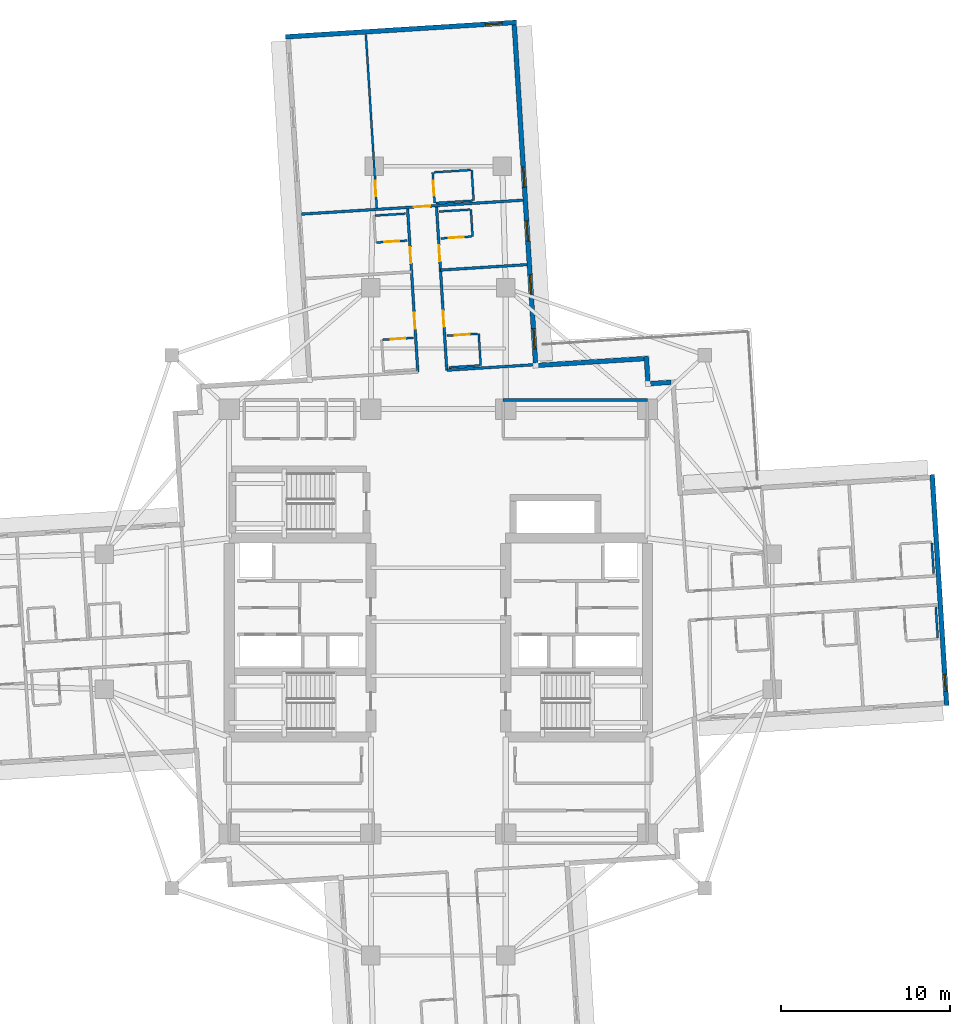
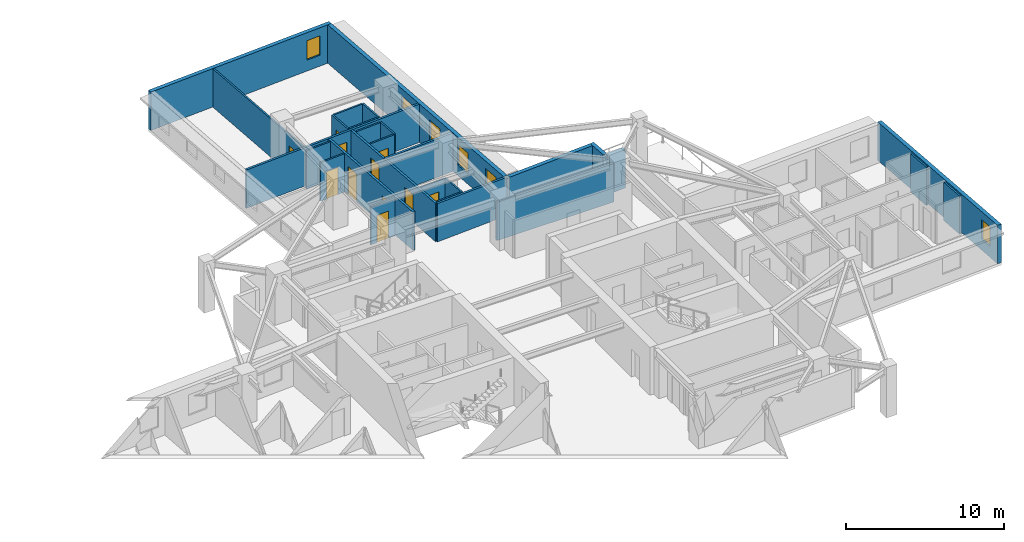
# One storey, part 8 of 14: 28 walls, 11 doors, 6 windows, 17 openings.
"""IFC4 building model written with IfcOpenShell, lengths in metres."""

from ifc_helpers import new_model, si_unit, direction, frame, frame_2d, origin, place, context, subcontext, project, spatial, rectangle, extrude, material, layer, layer_set, type_object, element, fill, save


model = new_model("IFC4")

# Units and contexts
model_context = context("Model", 3, precision=1e-05, world=origin(), true_north=direction((0.0, 1.0)))
body_context = subcontext(model_context, "Body", "Model", "MODEL_VIEW")
ifc_project = project(units=[si_unit("LENGTHUNIT", "METRE"), si_unit("AREAUNIT", "SQUARE_METRE"), si_unit("VOLUMEUNIT", "CUBIC_METRE"), si_unit("PLANEANGLEUNIT", "RADIAN"), si_unit("MASSUNIT", "GRAM", prefix="KILO")], contexts=[model_context])

# Site, building, storey
site_placement = place(None, origin())
site = spatial("IfcSite", under=ifc_project, at=site_placement, CompositionType="ELEMENT")
building_placement = place(site_placement, origin())
building = spatial("IfcBuilding", under=site, at=building_placement, Name="Qingluan Cross Belvedere", CompositionType="ELEMENT")
storey_placement = place(building_placement, frame((0.0, 0.0, 128.10009765625)))
storey = spatial("IfcBuildingStorey", under=building, at=storey_placement, Name="L32", CompositionType="ELEMENT", Elevation=128.10009765625)

# Wall
ifc_material_1 = material(Name="Gypsum plasterboard on steel stud acoustic partition", Category="steel")
ifc_layer_1 = layer(ifc_material_1, 0.159912109375, Name="CorridorPartition_160")
ifc_layer_set_1 = layer_set([ifc_layer_1], Name="Gypsum plasterboard on steel stud acoustic partition")
wall_type_1 = type_object("IfcWallType", Name="CorridorPartition_160", PredefinedType="PARTITIONING", material=ifc_layer_set_1)
wall_1_placement = place(storey_placement, frame((3.85009765625, 13.14990234375, 0.0), z_axis=(0.0, 0.0, 1.0), x_axis=(1.0, 0.0, 0.0)))
element("IfcWall", 1, at=wall_1_placement, inside=storey, type_object=wall_type_1, Name="Partition L32:q_ne:N", PredefinedType="PARTITIONING", context=body_context, shape_type="SweptSolid", body=[
    extrude(rectangle(XDim=8.5498046875, YDim=0.159912109375, at=frame_2d((4.27490234375, 0.0))), origin(), (0.0, 0.0, 1.0), 2.9599609375),
])

# Wall, openings, doors
wall_2_placement = place(storey_placement, frame((0.504638671875, 14.9111328125, 0.0), z_axis=(0.0, 0.0, 1.0), x_axis=(-0.062771584278, 0.998027919553, 0.0)))
wall_2 = element("IfcWall", 2, at=wall_2_placement, inside=storey, type_object=wall_type_1, Name="Partition L32:N:c0", PredefinedType="PARTITIONING", context=body_context, shape_type="SweptSolid", body=[
    extrude(rectangle(XDim=9.699951171875, YDim=0.159912109375, at=frame_2d((4.85009765625, 0.0))), origin(), (0.0, 0.0, 1.0), 2.9599609375),
])
opening_1_placement = place(wall_2_placement, frame((2.574951171875, 0.0, 0.0)))
opening_1 = element("IfcOpeningElement", 3, at=opening_1_placement, cuts=wall_2, Name="Opening GD-10", PredefinedType="OPENING", context=body_context, shape_type="SweptSolid", body=[
    extrude(rectangle(XDim=0.9599609375, YDim=2.14990234375, at=frame_2d((0.47998046875, 1.074951171875))), frame((0.0, 0.08984375, 0.0), z_axis=(0.0, -1.0, 0.0), x_axis=(1.0, 0.0, 0.0)), (0.0, 0.0, 1.0), 0.179931640625),
])
opening_2_placement = place(wall_2_placement, frame((6.467041015625, 0.0, 0.0)))
opening_2 = element("IfcOpeningElement", 4, at=opening_2_placement, cuts=wall_2, Name="Opening GD-10", PredefinedType="OPENING", context=body_context, shape_type="SweptSolid", body=[
    extrude(rectangle(XDim=0.9599609375, YDim=2.14990234375, at=frame_2d((0.47998046875, 1.074951171875))), frame((0.0, 0.08984375, 0.0), z_axis=(0.0, -1.0, 0.0), x_axis=(1.0, 0.0, 0.0)), (0.0, 0.0, 1.0), 0.179931640625),
])
ifc_material_2 = material(Name="Timber oak fire-rated acoustic guestroom door", Category="wood")
door_type_1 = type_object("IfcDoorType", Name="GuestEntryDoor_FD60", OperationType="NOTDEFINED", PredefinedType="DOOR", material=ifc_material_2)
door_1_placement = place(opening_1_placement, origin())
door_1 = element("IfcDoor", 5, at=door_1_placement, inside=storey, type_object=door_type_1, Name="Guest entry fire door 3211", OperationType="SINGLE_SWING_RIGHT", OverallHeight=2.14990234375, OverallWidth=0.9599609375, PredefinedType="DOOR", context=body_context, shape_type="SweptSolid", body=[
    extrude(rectangle(XDim=0.9599609375, YDim=2.14990234375, at=frame_2d((0.47998046875, 1.074951171875))), frame((0.0, 0.02490234375, 0.0), z_axis=(0.0, -1.0, 0.0), x_axis=(1.0, 0.0, 0.0)), (0.0, 0.0, 1.0), 0.050048828125),
])
fill(opening_1, door_1)
door_2_placement = place(opening_2_placement, origin())
door_2 = element("IfcDoor", 6, at=door_2_placement, inside=storey, type_object=door_type_1, Name="Guest entry fire door 3212", OperationType="SINGLE_SWING_RIGHT", OverallHeight=2.14990234375, OverallWidth=0.9599609375, PredefinedType="DOOR", context=body_context, shape_type="SweptSolid", body=[
    extrude(rectangle(XDim=0.9599609375, YDim=2.14990234375, at=frame_2d((0.47998046875, 1.074951171875))), frame((0.0, 0.02490234375, 0.0), z_axis=(0.0, -1.0, 0.0), x_axis=(1.0, 0.0, 0.0)), (0.0, 0.0, 1.0), 0.050048828125),
])
fill(opening_2, door_2)

# Walls
wall_3_placement = place(storey_placement, frame((0.504638671875, 14.9111328125, 0.0), z_axis=(0.0, 0.0, 1.0), x_axis=(0.998026766364, 0.06278991655, 0.0)))
element("IfcWall", 7, at=wall_3_placement, inside=storey, type_object=wall_type_1, Name="Partition L32:N:s0", PredefinedType="PARTITIONING", context=body_context, shape_type="SweptSolid", body=[
    extrude(rectangle(XDim=5.2802734375, YDim=0.159912109375, at=frame_2d((2.64013671875, 0.0))), origin(), (0.0, 0.0, 1.0), 2.9599609375),
])
wall_4_placement = place(storey_placement, frame((0.131103515625, 20.849365234375, 0.0), z_axis=(0.0, 0.0, 1.0), x_axis=(0.998026390953, 0.062795883315, 0.0)))
element("IfcWall", 8, at=wall_4_placement, inside=storey, type_object=wall_type_1, Name="Partition L32:N:d0_0", PredefinedType="PARTITIONING", context=body_context, shape_type="SweptSolid", body=[
    extrude(rectangle(XDim=5.1318359375, YDim=0.159912109375, at=frame_2d((2.56591796875, 0.0))), origin(), (0.0, 0.0, 1.0), 2.9599609375),
])

# Wall, openings, doors
wall_5_placement = place(storey_placement, frame((-1.2119140625, 14.802978515625, 0.0), z_axis=(0.0, 0.0, 1.0), x_axis=(-0.062796654085, 0.998026342456, 0.0)))
wall_5 = element("IfcWall", 9, at=wall_5_placement, inside=storey, type_object=wall_type_1, Name="Partition L32:N:c1", PredefinedType="PARTITIONING", context=body_context, shape_type="SweptSolid", body=[
    extrude(rectangle(XDim=9.699951171875, YDim=0.159912109375, at=frame_2d((4.85009765625, 0.0))), origin(), (0.0, 0.0, 1.0), 2.9599609375),
])
opening_3_placement = place(wall_5_placement, frame((2.574951171875, 0.0, 0.0)))
opening_3 = element("IfcOpeningElement", 10, at=opening_3_placement, cuts=wall_5, Name="Opening GD-10", PredefinedType="OPENING", context=body_context, shape_type="SweptSolid", body=[
    extrude(rectangle(XDim=0.9599609375, YDim=2.14990234375, at=frame_2d((0.47998046875, 1.074951171875))), frame((0.0, 0.08984375, 0.0), z_axis=(0.0, -1.0, 0.0), x_axis=(1.0, 0.0, 0.0)), (0.0, 0.0, 1.0), 0.179931640625),
])
opening_4_placement = place(wall_5_placement, frame((6.467041015625, 0.0, 0.0)))
opening_4 = element("IfcOpeningElement", 11, at=opening_4_placement, cuts=wall_5, Name="Opening GD-10", PredefinedType="OPENING", context=body_context, shape_type="SweptSolid", body=[
    extrude(rectangle(XDim=0.9599609375, YDim=2.14990234375, at=frame_2d((0.47998046875, 1.074951171875))), frame((0.0, 0.08984375, 0.0), z_axis=(0.0, -1.0, 0.0), x_axis=(1.0, 0.0, 0.0)), (0.0, 0.0, 1.0), 0.179931640625),
])
door_3_placement = place(opening_3_placement, origin())
door_3 = element("IfcDoor", 12, at=door_3_placement, inside=storey, type_object=door_type_1, Name="Guest entry fire door 3213", OperationType="SINGLE_SWING_RIGHT", OverallHeight=2.14990234375, OverallWidth=0.9599609375, PredefinedType="DOOR", context=body_context, shape_type="SweptSolid", body=[
    extrude(rectangle(XDim=0.9599609375, YDim=2.14990234375, at=frame_2d((0.47998046875, 1.074951171875))), frame((0.0, 0.02490234375, 0.0), z_axis=(0.0, -1.0, 0.0), x_axis=(1.0, 0.0, 0.0)), (0.0, 0.0, 1.0), 0.050048828125),
])
fill(opening_3, door_3)
door_4_placement = place(opening_4_placement, origin())
door_4 = element("IfcDoor", 13, at=door_4_placement, inside=storey, type_object=door_type_1, Name="Guest entry fire door 3214", OperationType="SINGLE_SWING_RIGHT", OverallHeight=2.14990234375, OverallWidth=0.9599609375, PredefinedType="DOOR", context=body_context, shape_type="SweptSolid", body=[
    extrude(rectangle(XDim=0.9599609375, YDim=2.14990234375, at=frame_2d((0.47998046875, 1.074951171875))), frame((0.0, 0.02490234375, 0.0), z_axis=(0.0, -1.0, 0.0), x_axis=(1.0, 0.0, 0.0)), (0.0, 0.0, 1.0), 0.050048828125),
])
fill(opening_4, door_4)

# Wall, opening, door
wall_6_placement = place(storey_placement, frame((-8.10546875, 24.168701171875, 0.0), z_axis=(0.0, 0.0, 1.0), x_axis=(0.998026109115, 0.062800362452, 0.0)))
wall_6 = element("IfcWall", 14, at=wall_6_placement, inside=storey, type_object=wall_type_1, Name="Partition L32:Ncap:in", PredefinedType="PARTITIONING", context=body_context, shape_type="SweptSolid", body=[
    extrude(rectangle(XDim=13.143798828125, YDim=0.159912109375, at=frame_2d((6.57177734375, 0.0))), origin(), (0.0, 0.0, 1.0), 2.9599609375),
])
opening_5_placement = place(wall_6_placement, frame((6.672119140625, 0.0, 0.0)))
opening_5 = element("IfcOpeningElement", 15, at=opening_5_placement, cuts=wall_6, Name="Opening GD-10", PredefinedType="OPENING", context=body_context, shape_type="SweptSolid", body=[
    extrude(rectangle(XDim=0.9599609375, YDim=2.14990234375, at=frame_2d((0.47998046875, 1.074951171875))), frame((0.0, 0.08984375, 0.0), z_axis=(0.0, -1.0, 0.0), x_axis=(1.0, 0.0, 0.0)), (0.0, 0.0, 1.0), 0.179931640625),
])
door_5_placement = place(opening_5_placement, origin())
door_5 = element("IfcDoor", 16, at=door_5_placement, inside=storey, type_object=door_type_1, Name="Horizon corner suite door L32N", OperationType="SINGLE_SWING_LEFT", OverallHeight=2.14990234375, OverallWidth=0.9599609375, PredefinedType="DOOR", context=body_context, shape_type="SweptSolid", body=[
    extrude(rectangle(XDim=0.9599609375, YDim=2.14990234375, at=frame_2d((0.47998046875, 1.074951171875))), frame((0.0, 0.02490234375, 0.0), z_axis=(0.0, -1.0, 0.0), x_axis=(1.0, 0.0, 0.0)), (0.0, 0.0, 1.0), 0.050048828125),
])
fill(opening_5, door_5)

# Walls
ifc_material_3 = material(Name="Moisture-resistant gypsum board lining")
ifc_layer_2 = layer(ifc_material_3, 0.1201171875, Name="EnsuiteWetPartition_120")
ifc_layer_set_2 = layer_set([ifc_layer_2], Name="Moisture-resistant gypsum board lining")
wall_type_2 = type_object("IfcWallType", Name="EnsuiteWetPartition_120", PredefinedType="PARTITIONING", material=ifc_layer_set_2)
for number, where, z_axis, x_axis, name in (
    (17, (29.37890625, 2.850341796875, 0.0), (0.0, 0.0, 1.0), (-0.062779145668, 0.998027443946, 0.0), "Partition L32:E:bw0_2"),
    (18, (29.618896484375, -0.962158203125, 0.0), (0.0, 0.0, 1.0), (-0.062779145668, 0.998027443946, 0.0), "Partition L32:E:bw1_2"),
):
    element("IfcWall", number, at=place(storey_placement, frame(where, z_axis=z_axis, x_axis=x_axis)), inside=storey, type_object=wall_type_2, Name=name, PredefinedType="PARTITIONING", context=body_context, shape_type="SweptSolid", body=[
        extrude(rectangle(XDim=1.820068359375, YDim=0.1201171875, at=frame_2d((0.91015625, 0.0))), origin(), (0.0, 0.0, 1.0), 2.9599609375),
    ])

# Wall, opening, door
wall_7_placement = place(storey_placement, frame((0.516357421875, 16.955810546875, 0.0), z_axis=(0.0, 0.0, 1.0), x_axis=(0.998019030272, 0.062912758763, 0.0)))
wall_7 = element("IfcWall", 19, at=wall_7_placement, inside=storey, type_object=wall_type_2, Name="Partition L32:N:bs0_0", PredefinedType="PARTITIONING", context=body_context, shape_type="SweptSolid", body=[
    extrude(rectangle(XDim=1.820068359375, YDim=0.1201171875, at=frame_2d((0.91015625, 0.0))), origin(), (0.0, 0.0, 1.0), 2.9599609375),
])
opening_6_placement = place(wall_7_placement, frame((0.469970703125, 0.0, 0.0)))
opening_6 = element("IfcOpeningElement", 20, at=opening_6_placement, cuts=wall_7, Name="Opening BD-09", PredefinedType="OPENING", context=body_context, shape_type="SweptSolid", body=[
    extrude(rectangle(XDim=0.8798828125, YDim=2.10009765625, at=frame_2d((0.43994140625, 1.050048828125))), frame((0.0, 0.070068359375, 0.0), z_axis=(0.0, -1.0, 0.0), x_axis=(1.0, 0.0, 0.0)), (0.0, 0.0, 1.0), 0.14013671875),
])
ifc_material_4 = material(Name="Moisture-sealed timber en-suite door", Category="wood")
door_type_2 = type_object("IfcDoorType", Name="BathroomDoor_880", OperationType="NOTDEFINED", PredefinedType="DOOR", material=ifc_material_4)
door_6_placement = place(opening_6_placement, origin())
door_6 = element("IfcDoor", 21, at=door_6_placement, inside=storey, type_object=door_type_2, Name="Bathroom door 3211", OperationType="SINGLE_SWING_LEFT", OverallHeight=2.10009765625, OverallWidth=0.8798828125, PredefinedType="DOOR", context=body_context, shape_type="SweptSolid", body=[
    extrude(rectangle(XDim=0.8798828125, YDim=2.10009765625, at=frame_2d((0.43994140625, 1.050048828125))), frame((0.0, 0.02490234375, 0.0), z_axis=(0.0, -1.0, 0.0), x_axis=(1.0, 0.0, 0.0)), (0.0, 0.0, 1.0), 0.050048828125),
])
fill(opening_6, door_6)

# Walls
wall_8_placement = place(storey_placement, frame((0.634521484375, 15.07958984375, 0.0), z_axis=(0.0, 0.0, 1.0), x_axis=(0.998026915151, 0.062787551592, 0.0)))
element("IfcWall", 22, at=wall_8_placement, inside=storey, type_object=wall_type_2, Name="Partition L32:N:bw0_0", PredefinedType="PARTITIONING", context=body_context, shape_type="SweptSolid", body=[
    extrude(rectangle(XDim=1.81982421875, YDim=0.1201171875, at=frame_2d((0.909912109375, 0.0))), origin(), (0.0, 0.0, 1.0), 2.9599609375),
])
wall_9_placement = place(storey_placement, frame((2.515625, 15.197998046875, 0.0), z_axis=(0.0, 0.0, 1.0), x_axis=(-0.062725942896, 0.998030789148, 0.0)))
element("IfcWall", 23, at=wall_9_placement, inside=storey, type_object=wall_type_2, Name="Partition L32:N:bn0_0", PredefinedType="PARTITIONING", context=body_context, shape_type="SweptSolid", body=[
    extrude(rectangle(XDim=1.8798828125, YDim=0.1201171875, at=frame_2d((0.93994140625, 0.0))), origin(), (0.0, 0.0, 1.0), 2.9599609375),
])

# Wall, opening, door
wall_10_placement = place(storey_placement, frame((0.1533203125, 22.724609375, 0.0), z_axis=(0.0, 0.0, 1.0), x_axis=(0.998027443946, 0.062779145668, 0.0)))
wall_10 = element("IfcWall", 24, at=wall_10_placement, inside=storey, type_object=wall_type_2, Name="Partition L32:N:bs0_1", PredefinedType="PARTITIONING", context=body_context, shape_type="SweptSolid", body=[
    extrude(rectangle(XDim=1.820068359375, YDim=0.1201171875, at=frame_2d((0.91015625, 0.0))), origin(), (0.0, 0.0, 1.0), 2.9599609375),
])
opening_7_placement = place(wall_10_placement, frame((0.469970703125, 0.0, 0.0)))
opening_7 = element("IfcOpeningElement", 25, at=opening_7_placement, cuts=wall_10, Name="Opening BD-09", PredefinedType="OPENING", context=body_context, shape_type="SweptSolid", body=[
    extrude(rectangle(XDim=0.8798828125, YDim=2.10009765625, at=frame_2d((0.43994140625, 1.050048828125))), frame((0.0, 0.070068359375, 0.0), z_axis=(0.0, -1.0, 0.0), x_axis=(1.0, 0.0, 0.0)), (0.0, 0.0, 1.0), 0.14013671875),
])
door_7_placement = place(opening_7_placement, origin())
door_7 = element("IfcDoor", 26, at=door_7_placement, inside=storey, type_object=door_type_2, Name="Bathroom door 3212", OperationType="SINGLE_SWING_LEFT", OverallHeight=2.10009765625, OverallWidth=0.8798828125, PredefinedType="DOOR", context=body_context, shape_type="SweptSolid", body=[
    extrude(rectangle(XDim=0.8798828125, YDim=2.10009765625, at=frame_2d((0.43994140625, 1.050048828125))), frame((0.0, 0.02490234375, 0.0), z_axis=(0.0, -1.0, 0.0), x_axis=(1.0, 0.0, 0.0)), (0.0, 0.0, 1.0), 0.050048828125),
])
fill(opening_7, door_7)

# Walls
wall_11_placement = place(storey_placement, frame((0.052978515625, 24.3212890625, 0.0), z_axis=(0.0, 0.0, 1.0), x_axis=(0.998027443946, 0.062779145668, 0.0)))
element("IfcWall", 27, at=wall_11_placement, inside=storey, type_object=wall_type_2, Name="Partition L32:N:bw0_1", PredefinedType="PARTITIONING", context=body_context, shape_type="SweptSolid", body=[
    extrude(rectangle(XDim=1.820068359375, YDim=0.1201171875, at=frame_2d((0.91015625, 0.0))), origin(), (0.0, 0.0, 1.0), 2.9599609375),
])
wall_12_placement = place(storey_placement, frame((2.03466796875, 22.8427734375, 0.0), z_axis=(0.0, 0.0, 1.0), x_axis=(-0.062862733403, 0.998022182494, 0.0)))
element("IfcWall", 28, at=wall_12_placement, inside=storey, type_object=wall_type_2, Name="Partition L32:N:bn0_1", PredefinedType="PARTITIONING", context=body_context, shape_type="SweptSolid", body=[
    extrude(rectangle(XDim=1.60009765625, YDim=0.1201171875, at=frame_2d((0.800048828125, 0.0))), origin(), (0.0, 0.0, 1.0), 2.9599609375),
])

# Wall, opening, door
wall_13_placement = place(storey_placement, frame((-3.296142578125, 16.716064453125, 0.0), z_axis=(0.0, 0.0, 1.0), x_axis=(0.998027443946, 0.062779145668, 0.0)))
wall_13 = element("IfcWall", 29, at=wall_13_placement, inside=storey, type_object=wall_type_2, Name="Partition L32:N:bs1_0", PredefinedType="PARTITIONING", context=body_context, shape_type="SweptSolid", body=[
    extrude(rectangle(XDim=1.820068359375, YDim=0.1201171875, at=frame_2d((0.91015625, 0.0))), origin(), (0.0, 0.0, 1.0), 2.9599609375),
])
opening_8_placement = place(wall_13_placement, frame((0.469970703125, 0.0, 0.0)))
opening_8 = element("IfcOpeningElement", 30, at=opening_8_placement, cuts=wall_13, Name="Opening BD-09", PredefinedType="OPENING", context=body_context, shape_type="SweptSolid", body=[
    extrude(rectangle(XDim=0.8798828125, YDim=2.10009765625, at=frame_2d((0.43994140625, 1.050048828125))), frame((0.0, 0.070068359375, 0.0), z_axis=(0.0, -1.0, 0.0), x_axis=(1.0, 0.0, 0.0)), (0.0, 0.0, 1.0), 0.14013671875),
])
door_8_placement = place(opening_8_placement, origin())
door_8 = element("IfcDoor", 31, at=door_8_placement, inside=storey, type_object=door_type_2, Name="Bathroom door 3213", OperationType="SINGLE_SWING_LEFT", OverallHeight=2.10009765625, OverallWidth=0.8798828125, PredefinedType="DOOR", context=body_context, shape_type="SweptSolid", body=[
    extrude(rectangle(XDim=0.8798828125, YDim=2.10009765625, at=frame_2d((0.43994140625, 1.050048828125))), frame((0.0, 0.02490234375, 0.0), z_axis=(0.0, -1.0, 0.0), x_axis=(1.0, 0.0, 0.0)), (0.0, 0.0, 1.0), 0.050048828125),
])
fill(opening_8, door_8)

wall_14_placement = place(storey_placement, frame((-3.658935546875, 22.484619140625, 0.0), z_axis=(0.0, 0.0, 1.0), x_axis=(0.998027443946, 0.062779145668, 0.0)))
wall_14 = element("IfcWall", 32, at=wall_14_placement, inside=storey, type_object=wall_type_2, Name="Partition L32:N:bs1_1", PredefinedType="PARTITIONING", context=body_context, shape_type="SweptSolid", body=[
    extrude(rectangle(XDim=1.820068359375, YDim=0.1201171875, at=frame_2d((0.91015625, 0.0))), origin(), (0.0, 0.0, 1.0), 2.9599609375),
])
opening_9_placement = place(wall_14_placement, frame((0.469970703125, 0.0, 0.0)))
opening_9 = element("IfcOpeningElement", 33, at=opening_9_placement, cuts=wall_14, Name="Opening BD-09", PredefinedType="OPENING", context=body_context, shape_type="SweptSolid", body=[
    extrude(rectangle(XDim=0.8798828125, YDim=2.10009765625, at=frame_2d((0.43994140625, 1.050048828125))), frame((0.0, 0.070068359375, 0.0), z_axis=(0.0, -1.0, 0.0), x_axis=(1.0, 0.0, 0.0)), (0.0, 0.0, 1.0), 0.14013671875),
])
door_9_placement = place(opening_9_placement, origin())
door_9 = element("IfcDoor", 34, at=door_9_placement, inside=storey, type_object=door_type_2, Name="Bathroom door 3214", OperationType="SINGLE_SWING_LEFT", OverallHeight=2.10009765625, OverallWidth=0.8798828125, PredefinedType="DOOR", context=body_context, shape_type="SweptSolid", body=[
    extrude(rectangle(XDim=0.8798828125, YDim=2.10009765625, at=frame_2d((0.43994140625, 1.050048828125))), frame((0.0, 0.02490234375, 0.0), z_axis=(0.0, -1.0, 0.0), x_axis=(1.0, 0.0, 0.0)), (0.0, 0.0, 1.0), 0.050048828125),
])
fill(opening_9, door_9)

# Wall
wall_15_placement = place(storey_placement, frame((-3.759521484375, 24.08154296875, 0.0), z_axis=(0.0, 0.0, 1.0), x_axis=(0.998027443946, 0.062779145668, 0.0)))
element("IfcWall", 35, at=wall_15_placement, inside=storey, type_object=wall_type_2, Name="Partition L32:N:bw1_1", PredefinedType="PARTITIONING", context=body_context, shape_type="SweptSolid", body=[
    extrude(rectangle(XDim=1.820068359375, YDim=0.1201171875, at=frame_2d((0.91015625, 0.0))), origin(), (0.0, 0.0, 1.0), 2.9599609375),
])

# Wall, opening, door
wall_16_placement = place(storey_placement, frame((-3.64794921875, 24.539306640625, 0.0), z_axis=(0.0, 0.0, 1.0), x_axis=(-0.062786562543, 0.998026977373, 0.0)))
wall_16 = element("IfcWall", 36, at=wall_16_placement, inside=storey, type_object=wall_type_2, Name="Partition L32:Ncap:m2", PredefinedType="PARTITIONING", context=body_context, shape_type="SweptSolid", body=[
    extrude(rectangle(XDim=10.31201171875, YDim=0.1201171875, at=frame_2d((5.156005859375, 0.0))), origin(), (0.0, 0.0, 1.0), 2.9599609375),
])
opening_10_placement = place(wall_16_placement, frame((0.699951171875, 0.0, 0.0)))
opening_10 = element("IfcOpeningElement", 37, at=opening_10_placement, cuts=wall_16, Name="Opening BD-89", PredefinedType="OPENING", context=body_context, shape_type="SweptSolid", body=[
    extrude(rectangle(XDim=0.89990234375, YDim=2.10009765625, at=frame_2d((0.449951171875, 1.050048828125))), frame((0.0, 0.070068359375, 0.0), z_axis=(0.0, -1.0, 0.0), x_axis=(1.0, 0.0, 0.0)), (0.0, 0.0, 1.0), 0.14013671875),
])
ifc_material_5 = material(Name="Timber acoustic study door", Category="wood")
door_type_3 = type_object("IfcDoorType", Name="SuiteStudyDoor_900", OperationType="NOTDEFINED", PredefinedType="DOOR", material=ifc_material_5)
door_10_placement = place(opening_10_placement, origin())
door_10 = element("IfcDoor", 38, at=door_10_placement, inside=storey, type_object=door_type_3, Name="Suite private study door L32N", OperationType="SINGLE_SWING_LEFT", OverallHeight=2.10009765625, OverallWidth=0.89990234375, PredefinedType="DOOR", context=body_context, shape_type="SweptSolid", body=[
    extrude(rectangle(XDim=0.89990234375, YDim=2.10009765625, at=frame_2d((0.449951171875, 1.050048828125))), frame((0.0, 0.02490234375, 0.0), z_axis=(0.0, -1.0, 0.0), x_axis=(1.0, 0.0, 0.0)), (0.0, 0.0, 1.0), 0.050048828125),
])
fill(opening_10, door_10)

wall_17_placement = place(storey_placement, frame((-0.21923828125, 24.8251953125, 0.0), z_axis=(0.0, 0.0, 1.0), x_axis=(-0.062779145668, 0.998027443946, 0.0)))
wall_17 = element("IfcWall", 39, at=wall_17_placement, inside=storey, type_object=wall_type_2, Name="Partition L32:Ncap:b2s", PredefinedType="PARTITIONING", context=body_context, shape_type="SweptSolid", body=[
    extrude(rectangle(XDim=1.820068359375, YDim=0.1201171875, at=frame_2d((0.91015625, 0.0))), origin(), (0.0, 0.0, 1.0), 2.9599609375),
])
opening_11_placement = place(wall_17_placement, frame((0.449951171875, 0.0, 0.0)))
opening_11 = element("IfcOpeningElement", 40, at=opening_11_placement, cuts=wall_17, Name="Opening BD-09", PredefinedType="OPENING", context=body_context, shape_type="SweptSolid", body=[
    extrude(rectangle(XDim=0.8798828125, YDim=2.10009765625, at=frame_2d((0.43994140625, 1.050048828125))), frame((0.0, 0.070068359375, 0.0), z_axis=(0.0, -1.0, 0.0), x_axis=(1.0, 0.0, 0.0)), (0.0, 0.0, 1.0), 0.14013671875),
])
door_11_placement = place(opening_11_placement, origin())
door_11 = element("IfcDoor", 41, at=door_11_placement, inside=storey, type_object=door_type_2, Name="En-suite bathroom door L32N", OperationType="SINGLE_SWING_RIGHT", OverallHeight=2.10009765625, OverallWidth=0.8798828125, PredefinedType="DOOR", context=body_context, shape_type="SweptSolid", body=[
    extrude(rectangle(XDim=0.8798828125, YDim=2.10009765625, at=frame_2d((0.43994140625, 1.050048828125))), frame((0.0, 0.02490234375, 0.0), z_axis=(0.0, -1.0, 0.0), x_axis=(1.0, 0.0, 0.0)), (0.0, 0.0, 1.0), 0.050048828125),
])
fill(opening_11, door_11)

# Walls
wall_18_placement = place(storey_placement, frame((2.09619140625, 24.970947265625, 0.0), z_axis=(0.0, 0.0, 1.0), x_axis=(-0.062779145668, 0.998027443946, 0.0)))
element("IfcWall", 42, at=wall_18_placement, inside=storey, type_object=wall_type_2, Name="Partition L32:Ncap:b2b", PredefinedType="PARTITIONING", context=body_context, shape_type="SweptSolid", body=[
    extrude(rectangle(XDim=1.820068359375, YDim=0.1201171875, at=frame_2d((0.91015625, 0.0))), origin(), (0.0, 0.0, 1.0), 2.9599609375),
])
for number, where, z_axis, x_axis, name in (
    (43, (-0.1494140625, 24.82958984375, 0.0), (0.0, 0.0, 1.0), (0.998024591026, 0.062824483344, 0.0), "Partition L32:Ncap:b2a"),
    (44, (-0.263671875, 26.64599609375, 0.0), (0.0, 0.0, 1.0), (0.998024591026, 0.062824483344, 0.0), "Partition L32:Ncap:b2n"),
):
    element("IfcWall", number, at=place(storey_placement, frame(where, z_axis=z_axis, x_axis=x_axis)), inside=storey, type_object=wall_type_2, Name=name, PredefinedType="PARTITIONING", context=body_context, shape_type="SweptSolid", body=[
        extrude(rectangle(XDim=2.18017578125, YDim=0.1201171875, at=frame_2d((1.090087890625, 0.0))), origin(), (0.0, 0.0, 1.0), 2.9599609375),
    ])

# Wall, opening, window
ifc_material_6 = material(Name="Precast concrete C45", Category="concrete")
ifc_layer_3 = layer(ifc_material_6, 0.280029296875, Name="PrecastFacadeWall_280")
ifc_layer_set_3 = layer_set([ifc_layer_3], Name="Precast concrete C45")
wall_type_3 = type_object("IfcWallType", Name="PrecastFacadeWall_280", PredefinedType="STANDARD", material=ifc_layer_set_3)
wall_19_placement = place(storey_placement, frame((30.152099609375, -4.9765625, 0.0), z_axis=(0.0, 0.0, 1.0), x_axis=(-0.062797041623, 0.998026318072, 0.0)))
wall_19 = element("IfcWall", 45, at=wall_19_placement, inside=storey, type_object=wall_type_3, Name="Arm tip precast facade wall L32-E", PredefinedType="STANDARD", context=body_context, shape_type="SweptSolid", body=[
    extrude(rectangle(XDim=13.719970703125, YDim=0.280029296875, at=frame_2d((6.85986328125, 0.0))), origin(), (0.0, 0.0, 1.0), 2.969970703125),
])
opening_12_placement = place(wall_19_placement, frame((0.85009765625, 0.0, 0.85009765625)))
opening_12 = element("IfcOpeningElement", 46, at=opening_12_placement, cuts=wall_19, Name="Opening W-03", PredefinedType="OPENING", context=body_context, shape_type="SweptSolid", body=[
    extrude(rectangle(XDim=1.0, YDim=1.5, at=frame_2d((0.5, 0.75))), frame((0.0, 0.14990234375, 0.0), z_axis=(0.0, -1.0, 0.0), x_axis=(1.0, 0.0, 0.0)), (0.0, 0.0, 1.0), 0.300048828125),
])
ifc_material_7 = material(Name="Thermally broken triple Low-E glass in aluminium frame", Category="aluminium")
window_type_1 = type_object("IfcWindowType", Name="TriApexWin_1000x1500", PartitioningType="SINGLE_PANEL", PredefinedType="WINDOW", material=ifc_material_7)
window_1_placement = place(opening_12_placement, origin())
window_1 = element("IfcWindow", 47, at=window_1_placement, inside=storey, type_object=window_type_1, Name="Arm tip triangular window L32-E", OverallHeight=1.5, OverallWidth=1.0, PartitioningType="SINGLE_PANEL", PredefinedType="WINDOW", context=body_context, shape_type="SweptSolid", body=[
    extrude(rectangle(XDim=1.0, YDim=1.5, at=frame_2d((0.5, 0.75))), frame((0.0, 0.030029296875, 0.0), z_axis=(0.0, -1.0, 0.0), x_axis=(1.0, 0.0, 0.0)), (0.0, 0.0, 1.0), 0.06005859375),
])
fill(opening_12, window_1)

# Wall, openings, windows
wall_20_placement = place(storey_placement, frame((5.7685546875, 15.33251953125, 0.0), z_axis=(0.0, 0.0, 1.0), x_axis=(-0.062784355807, 0.998027116198, 0.0)))
wall_20 = element("IfcWall", 48, at=wall_20_placement, inside=storey, type_object=wall_type_3, Name="Facade wall L32-NA", PredefinedType="STANDARD", context=body_context, shape_type="SweptSolid", body=[
    extrude(rectangle(XDim=20.099853515625, YDim=0.280029296875, at=frame_2d((10.0498046875, 0.0))), origin(), (0.0, 0.0, 1.0), 2.969970703125),
])
opening_13_placement = place(wall_20_placement, frame((0.85009765625, 0.0, 0.800048828125)))
opening_13 = element("IfcOpeningElement", 49, at=opening_13_placement, cuts=wall_20, Name="Opening W-02", PredefinedType="OPENING", context=body_context, shape_type="SweptSolid", body=[
    extrude(rectangle(XDim=1.199951171875, YDim=1.60009765625, at=frame_2d((0.60009765625, 0.800048828125))), frame((0.0, 0.14990234375, 0.0), z_axis=(0.0, -1.0, 0.0), x_axis=(1.0, 0.0, 0.0)), (0.0, 0.0, 1.0), 0.300048828125),
])
opening_14_placement = place(wall_20_placement, frame((4.050048828125, 0.0, 0.800048828125)))
opening_14 = element("IfcOpeningElement", 50, at=opening_14_placement, cuts=wall_20, Name="Opening W-02", PredefinedType="OPENING", context=body_context, shape_type="SweptSolid", body=[
    extrude(rectangle(XDim=1.199951171875, YDim=1.60009765625, at=frame_2d((0.60009765625, 0.800048828125))), frame((0.0, 0.14990234375, 0.0), z_axis=(0.0, -1.0, 0.0), x_axis=(1.0, 0.0, 0.0)), (0.0, 0.0, 1.0), 0.300048828125),
])
opening_15_placement = place(wall_20_placement, frame((7.25, 0.0, 0.800048828125)))
opening_15 = element("IfcOpeningElement", 51, at=opening_15_placement, cuts=wall_20, Name="Opening W-02", PredefinedType="OPENING", context=body_context, shape_type="SweptSolid", body=[
    extrude(rectangle(XDim=1.199951171875, YDim=1.60009765625, at=frame_2d((0.60009765625, 0.800048828125))), frame((0.0, 0.14990234375, 0.0), z_axis=(0.0, -1.0, 0.0), x_axis=(1.0, 0.0, 0.0)), (0.0, 0.0, 1.0), 0.300048828125),
])
opening_16_placement = place(wall_20_placement, frame((10.449951171875, 0.0, 0.800048828125)))
opening_16 = element("IfcOpeningElement", 52, at=opening_16_placement, cuts=wall_20, Name="Opening W-02", PredefinedType="OPENING", context=body_context, shape_type="SweptSolid", body=[
    extrude(rectangle(XDim=1.199951171875, YDim=1.60009765625, at=frame_2d((0.60009765625, 0.800048828125))), frame((0.0, 0.14990234375, 0.0), z_axis=(0.0, -1.0, 0.0), x_axis=(1.0, 0.0, 0.0)), (0.0, 0.0, 1.0), 0.300048828125),
])
ifc_material_8 = material(Name="Thermally broken triple Low-E glass in aluminium frame", Category="aluminium")
window_type_2 = type_object("IfcWindowType", Name="TriRibbonWin_1200x1600", PartitioningType="SINGLE_PANEL", PredefinedType="WINDOW", material=ifc_material_8)
window_2_placement = place(opening_13_placement, origin())
window_2 = element("IfcWindow", 53, at=window_2_placement, inside=storey, type_object=window_type_2, Name="Ribbon window L32-NA-1", OverallHeight=1.60009765625, OverallWidth=1.199951171875, PartitioningType="SINGLE_PANEL", PredefinedType="WINDOW", context=body_context, shape_type="SweptSolid", body=[
    extrude(rectangle(XDim=1.199951171875, YDim=1.60009765625, at=frame_2d((0.60009765625, 0.800048828125))), frame((0.0, 0.030029296875, 0.0), z_axis=(0.0, -1.0, 0.0), x_axis=(1.0, 0.0, 0.0)), (0.0, 0.0, 1.0), 0.06005859375),
])
fill(opening_13, window_2)
window_3_placement = place(opening_14_placement, origin())
window_3 = element("IfcWindow", 54, at=window_3_placement, inside=storey, type_object=window_type_2, Name="Ribbon window L32-NA-2", OverallHeight=1.60009765625, OverallWidth=1.199951171875, PartitioningType="SINGLE_PANEL", PredefinedType="WINDOW", context=body_context, shape_type="SweptSolid", body=[
    extrude(rectangle(XDim=1.199951171875, YDim=1.60009765625, at=frame_2d((0.60009765625, 0.800048828125))), frame((0.0, 0.030029296875, 0.0), z_axis=(0.0, -1.0, 0.0), x_axis=(1.0, 0.0, 0.0)), (0.0, 0.0, 1.0), 0.06005859375),
])
fill(opening_14, window_3)
window_4_placement = place(opening_15_placement, origin())
window_4 = element("IfcWindow", 55, at=window_4_placement, inside=storey, type_object=window_type_2, Name="Ribbon window L32-NA-3", OverallHeight=1.60009765625, OverallWidth=1.199951171875, PartitioningType="SINGLE_PANEL", PredefinedType="WINDOW", context=body_context, shape_type="SweptSolid", body=[
    extrude(rectangle(XDim=1.199951171875, YDim=1.60009765625, at=frame_2d((0.60009765625, 0.800048828125))), frame((0.0, 0.030029296875, 0.0), z_axis=(0.0, -1.0, 0.0), x_axis=(1.0, 0.0, 0.0)), (0.0, 0.0, 1.0), 0.06005859375),
])
fill(opening_15, window_4)
window_5_placement = place(opening_16_placement, origin())
window_5 = element("IfcWindow", 56, at=window_5_placement, inside=storey, type_object=window_type_2, Name="Ribbon window L32-NA-4", OverallHeight=1.60009765625, OverallWidth=1.199951171875, PartitioningType="SINGLE_PANEL", PredefinedType="WINDOW", context=body_context, shape_type="SweptSolid", body=[
    extrude(rectangle(XDim=1.199951171875, YDim=1.60009765625, at=frame_2d((0.60009765625, 0.800048828125))), frame((0.0, 0.030029296875, 0.0), z_axis=(0.0, -1.0, 0.0), x_axis=(1.0, 0.0, 0.0)), (0.0, 0.0, 1.0), 0.06005859375),
])
fill(opening_16, window_5)

# Wall, opening, window
wall_21_placement = place(storey_placement, frame((4.637451171875, 35.541259765625, 0.0), z_axis=(0.0, 0.0, 1.0), x_axis=(-0.998026318072, -0.062797041623, 0.0)))
wall_21 = element("IfcWall", 57, at=wall_21_placement, inside=storey, type_object=wall_type_3, Name="Arm tip precast facade wall L32-N", PredefinedType="STANDARD", context=body_context, shape_type="SweptSolid", body=[
    extrude(rectangle(XDim=13.719970703125, YDim=0.280029296875, at=frame_2d((6.85986328125, 0.0))), origin(), (0.0, 0.0, 1.0), 2.969970703125),
])
opening_17_placement = place(wall_21_placement, frame((0.85009765625, 0.0, 0.85009765625)))
opening_17 = element("IfcOpeningElement", 58, at=opening_17_placement, cuts=wall_21, Name="Opening W-03", PredefinedType="OPENING", context=body_context, shape_type="SweptSolid", body=[
    extrude(rectangle(XDim=1.0, YDim=1.5, at=frame_2d((0.5, 0.75))), frame((0.0, 0.14990234375, 0.0), z_axis=(0.0, -1.0, 0.0), x_axis=(1.0, 0.0, 0.0)), (0.0, 0.0, 1.0), 0.300048828125),
])
window_6_placement = place(opening_17_placement, origin())
window_6 = element("IfcWindow", 59, at=window_6_placement, inside=storey, type_object=window_type_1, Name="Arm tip triangular window L32-N", OverallHeight=1.5, OverallWidth=1.0, PartitioningType="SINGLE_PANEL", PredefinedType="WINDOW", context=body_context, shape_type="SweptSolid", body=[
    extrude(rectangle(XDim=1.0, YDim=1.5, at=frame_2d((0.5, 0.75))), frame((0.0, 0.030029296875, 0.0), z_axis=(0.0, -1.0, 0.0), x_axis=(1.0, 0.0, 0.0)), (0.0, 0.0, 1.0), 0.06005859375),
])
fill(opening_17, window_6)

# Walls
wall_22_placement = place(storey_placement, frame((13.7958984375, 14.1943359375, 0.0), z_axis=(0.0, 0.0, 1.0), x_axis=(-0.998023660242, -0.06283926796, 0.0)))
element("IfcWall", 60, at=wall_22_placement, inside=storey, type_object=wall_type_3, Name="Corner wall L32-NE2", PredefinedType="STANDARD", context=body_context, shape_type="SweptSolid", body=[
    extrude(rectangle(XDim=1.219970703125, YDim=0.280029296875, at=frame_2d((0.60986328125, 0.0))), origin(), (0.0, 0.0, 1.0), 2.969970703125),
])
wall_23_placement = place(storey_placement, frame((12.429931640625, 14.24853515625, 0.0), z_axis=(0.0, 0.0, 1.0), x_axis=(-0.062824119533, 0.998024613927, 0.0)))
element("IfcWall", 61, at=wall_23_placement, inside=storey, type_object=wall_type_3, Name="Corner wall L32-NE3", PredefinedType="STANDARD", context=body_context, shape_type="SweptSolid", body=[
    extrude(rectangle(XDim=1.5, YDim=0.280029296875, at=frame_2d((0.75, 0.0))), origin(), (0.0, 0.0, 1.0), 2.969970703125),
])
wall_24_placement = place(storey_placement, frame((12.20458984375, 15.59716796875, 0.0), z_axis=(0.0, 0.0, 1.0), x_axis=(-0.998024885752, -0.062819801181, 0.0)))
element("IfcWall", 62, at=wall_24_placement, inside=storey, type_object=wall_type_3, Name="Corner wall L32-NE4", PredefinedType="STANDARD", context=body_context, shape_type="SweptSolid", body=[
    extrude(rectangle(XDim=6.2998046875, YDim=0.280029296875, at=frame_2d((3.14990234375, 0.0))), origin(), (0.0, 0.0, 1.0), 2.969970703125),
])

save(model, "model.ifc")
